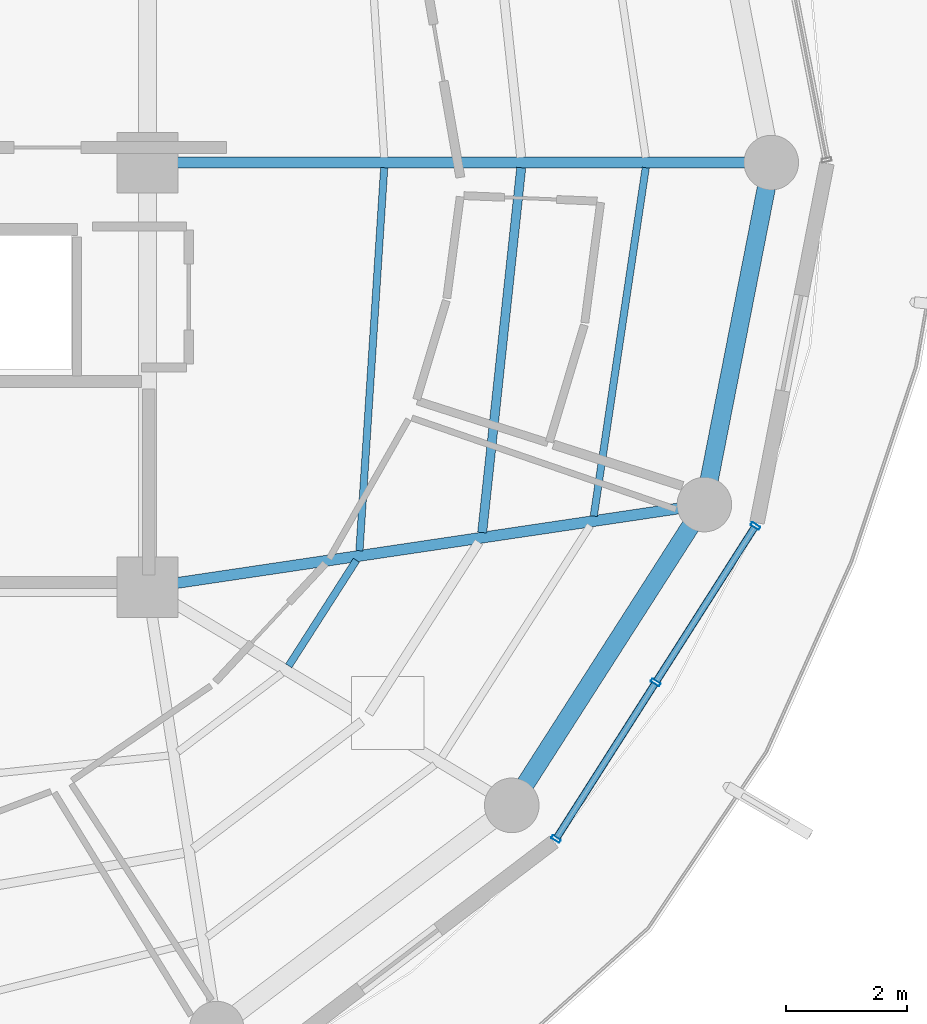
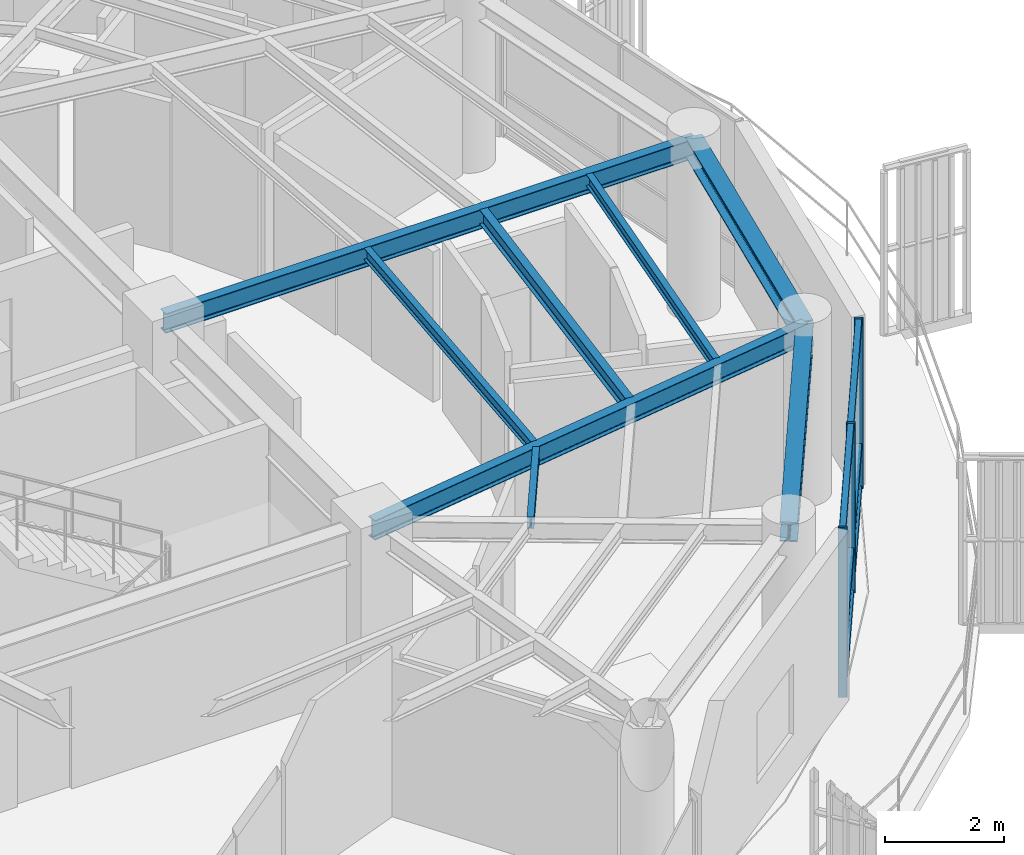
# One storey, part 9 of 22: 9 members, 8 beams, 1 element without a shape of its own.
"""IFC4 building model written with IfcOpenShell, lengths in metres."""

from ifc_helpers import new_model, si_unit, direction, frame, origin, origin_2d, place, context, subcontext, project, spatial, hollow_rectangle, i_section, extrude, material, layer, layer_set, material_profile, profile_set, type_object, element, aggregate, save


model = new_model("IFC4")

# Units and contexts
model_context = context("Model", 3, precision=1e-05, world=origin(), true_north=direction((0.0, 1.0)))
body_context = subcontext(model_context, "Body", "Model", "MODEL_VIEW")
ifc_project = project(units=[si_unit("LENGTHUNIT", "METRE"), si_unit("AREAUNIT", "SQUARE_METRE"), si_unit("VOLUMEUNIT", "CUBIC_METRE"), si_unit("PLANEANGLEUNIT", "RADIAN"), si_unit("MASSUNIT", "GRAM", prefix="KILO")], contexts=[model_context])

# Site, building, storey
site_placement = place(None, origin())
site = spatial("IfcSite", under=ifc_project, at=site_placement, CompositionType="ELEMENT")
building_placement = place(site_placement, origin())
building = spatial("IfcBuilding", under=site, at=building_placement, Name="Kelanora Arch Commons", CompositionType="ELEMENT")
storey_placement = place(building_placement, frame((0.0, 0.0, 259.949951171875)))
storey = spatial("IfcBuildingStorey", under=building, at=storey_placement, Name="L66", CompositionType="ELEMENT", Elevation=259.949951171875)

# Beams
ifc_material_1 = material(Name="Steel S355", Category="steel")
ifc_material_profile_1 = material_profile(ifc_material_1, i_section(OverallWidth=0.14990234375, OverallDepth=0.300048828125, WebThickness=0.007080078125, FlangeThickness=0.0107421875, FilletRadius=0.014892578125, at=origin_2d()), Name="IPE300")
ifc_profile_set_1 = profile_set([ifc_material_profile_1], Name="Steel S355")
beam_type_1 = type_object("IfcBeamType", Name="BM-JST-01", PredefinedType="JOIST", material=ifc_profile_set_1)
beam_1_placement = place(storey_placement, frame((87.515625, 51.902587890625, 3.340087890625), z_axis=(0.106380594087, 0.994325484538, 0.0), x_axis=(-0.994325484538, 0.106380594087, 0.0)))
element("IfcBeam", 1, at=beam_1_placement, inside=storey, type_object=beam_type_1, Name="Secondary Chord Joist BJB-34 L66", PredefinedType="JOIST", context=body_context, shape_type="SweptSolid", body=[
    extrude(i_section(OverallWidth=0.14990234375, OverallDepth=0.300048828125, WebThickness=0.007080078125, FlangeThickness=0.0107421875, FilletRadius=0.014892578125, at=origin_2d()), origin(), (0.0, 0.0, 1.0), 6.04736328125),
])
ifc_material_profile_2 = material_profile(ifc_material_1, i_section(OverallWidth=0.1201171875, OverallDepth=0.239990234375, WebThickness=0.006103515625, FlangeThickness=0.009765625, FilletRadius=0.014892578125, at=origin_2d()), Name="IPE240")
ifc_profile_set_2 = profile_set([ifc_material_profile_2], Name="Steel S355")
beam_type_2 = type_object("IfcBeamType", Name="BM-JST-02", PredefinedType="JOIST", material=ifc_profile_set_2)
beam_2_placement = place(storey_placement, frame((84.3271484375, 49.706298828125, 3.3701171875), z_axis=(0.539311810315, 0.842106152011, 0.0), x_axis=(-0.842106152011, 0.539311810315, 0.0)))
element("IfcBeam", 2, at=beam_2_placement, inside=storey, type_object=beam_type_2, Name="Secondary Chord Joist BJA-32 L66", PredefinedType="JOIST", context=body_context, shape_type="SweptSolid", body=[
    extrude(i_section(OverallWidth=0.1201171875, OverallDepth=0.239990234375, WebThickness=0.006103515625, FlangeThickness=0.009765625, FilletRadius=0.014892578125, at=origin_2d()), origin(), (0.0, 0.0, 1.0), 2.06640625),
])
beam_3_placement = place(storey_placement, frame((85.492919921875, 51.60302734375, 3.3701171875), z_axis=(0.064495107978, 0.99791802321, 0.0), x_axis=(-0.99791802321, 0.064495107978, 0.0)))
element("IfcBeam", 3, at=beam_3_placement, inside=storey, type_object=beam_type_2, Name="Secondary Chord Joist BJA-34 L66", PredefinedType="JOIST", context=body_context, shape_type="SweptSolid", body=[
    extrude(i_section(OverallWidth=0.1201171875, OverallDepth=0.239990234375, WebThickness=0.006103515625, FlangeThickness=0.009765625, FilletRadius=0.014892578125, at=origin_2d()), origin(), (0.0, 0.0, 1.0), 6.325439453125),
])
beam_4_placement = place(storey_placement, frame((89.3544921875, 52.1748046875, 3.3701171875), z_axis=(0.14762470282, 0.989043450571, 0.0), x_axis=(-0.989043450571, 0.14762470282, 0.0)))
element("IfcBeam", 4, at=beam_4_placement, inside=storey, type_object=beam_type_2, Name="Secondary Chord Joist BJC-34 L66", PredefinedType="JOIST", context=body_context, shape_type="SweptSolid", body=[
    extrude(i_section(OverallWidth=0.1201171875, OverallDepth=0.239990234375, WebThickness=0.006103515625, FlangeThickness=0.009765625, FilletRadius=0.014892578125, at=origin_2d()), origin(), (0.0, 0.0, 1.0), 5.804931640625),
])
ifc_material_profile_3 = material_profile(ifc_material_1, i_section(OverallWidth=0.179931640625, OverallDepth=0.39990234375, WebThickness=0.008544921875, FlangeThickness=0.013427734375, FilletRadius=0.02099609375, at=origin_2d()), Name="IPE400")
ifc_profile_set_3 = profile_set([ifc_material_profile_3], Name="Steel S355")
beam_type_3 = type_object("IfcBeamType", Name="BM-RAD-Z5", PredefinedType="BEAM", material=ifc_profile_set_3)
beam_5_placement = place(storey_placement, frame((82.0, 58.0, 3.2900390625), z_axis=(1.0, 0.0, 0.0), x_axis=(0.0, 1.0, 0.0)))
element("IfcBeam", 5, at=beam_5_placement, inside=storey, type_object=beam_type_3, Name="Radial Floor Girder BR-00 L66", PredefinedType="BEAM", context=body_context, shape_type="SweptSolid", body=[
    extrude(i_section(OverallWidth=0.179931640625, OverallDepth=0.39990234375, WebThickness=0.008544921875, FlangeThickness=0.013427734375, FilletRadius=0.02099609375, at=origin_2d()), origin(), (0.0, 0.0, 1.0), 10.280029296875),
])
beam_6_placement = place(storey_placement, frame((82.0, 51.0, 3.2900390625), z_axis=(0.989142485564, 0.146959665395, 0.0), x_axis=(-0.146959665395, 0.989142485564, 0.0)))
element("IfcBeam", 6, at=beam_6_placement, inside=storey, type_object=beam_type_3, Name="Radial Floor Girder BR-34 L66", PredefinedType="BEAM", context=body_context, shape_type="SweptSolid", body=[
    extrude(i_section(OverallWidth=0.179931640625, OverallDepth=0.39990234375, WebThickness=0.008544921875, FlangeThickness=0.013427734375, FilletRadius=0.02099609375, at=origin_2d()), origin(), (0.0, 0.0, 1.0), 9.2783203125),
])
ifc_material_profile_4 = material_profile(ifc_material_1, i_section(OverallWidth=0.300048828125, OverallDepth=0.39990234375, WebThickness=0.013427734375, FlangeThickness=0.02392578125, FilletRadius=0.027099609375, at=origin_2d()), Name="HEB400")
ifc_profile_set_4 = profile_set([ifc_material_profile_4], Name="Steel S355")
beam_type_4 = type_object("IfcBeamType", Name="BM-SPN-Z4", PredefinedType="SPANDREL", material=ifc_profile_set_4)
beam_7_placement = place(storey_placement, frame((88.00341796875, 47.406982421875, 3.2900390625), z_axis=(0.539280851353, 0.842125978322, 0.0), x_axis=(-0.842125978322, 0.539280851353, 0.0)))
element("IfcBeam", 7, at=beam_7_placement, inside=storey, type_object=beam_type_4, Name="Perimeter Spandrel Beam BS-32 L66", PredefinedType="SPANDREL", context=body_context, shape_type="SweptSolid", body=[
    extrude(i_section(OverallWidth=0.300048828125, OverallDepth=0.39990234375, WebThickness=0.013427734375, FlangeThickness=0.02392578125, FilletRadius=0.027099609375, at=origin_2d()), origin(), (0.0, 0.0, 1.0), 5.8857421875),
])
beam_8_placement = place(storey_placement, frame((91.177490234375, 52.363525390625, 3.2900390625), z_axis=(0.191969774604, 0.981400838413, 0.0), x_axis=(-0.981400838413, 0.191969774604, 0.0)))
element("IfcBeam", 8, at=beam_8_placement, inside=storey, type_object=beam_type_4, Name="Perimeter Spandrel Beam BS-34 L66", PredefinedType="SPANDREL", context=body_context, shape_type="SweptSolid", body=[
    extrude(i_section(OverallWidth=0.300048828125, OverallDepth=0.39990234375, WebThickness=0.013427734375, FlangeThickness=0.02392578125, FilletRadius=0.027099609375, at=origin_2d()), origin(), (0.0, 0.0, 1.0), 5.743408203125),
])

# Curtain wall, members
ifc_material_2 = material(Name="Terracotta ceramic-fritted low-E glass and aluminium", Category="masonry")
ifc_layer = layer(ifc_material_2, 0.18994140625)
ifc_layer_set = layer_set([ifc_layer], Name="Terracotta ceramic-fritted low-E glass and aluminium")
curtain_wall_type = type_object("IfcCurtainWallType", Name="CW-SYS-03", PredefinedType="NOTDEFINED", material=ifc_layer_set)
curtain_wall_placement = place(storey_placement, origin())
curtain_wall = element("IfcCurtainWall", 9, at=curtain_wall_placement, inside=storey, type_object=curtain_wall_type, Name="Unitised Curtain Wall L66-B16", PredefinedType="NOTDEFINED")
ifc_material_3 = material(Name="Powder-coated aluminium terracotta", Category="masonry")
ifc_material_profile_5 = material_profile(ifc_material_3, hollow_rectangle(XDim=0.159912109375, YDim=0.06005859375, WallThickness=0.0048828125, InnerFilletRadius=0.0048828125, OuterFilletRadius=0.010009765625, at=origin_2d()), Name="CWM160x60")
ifc_profile_set_5 = profile_set([ifc_material_profile_5], Name="Powder-coated aluminium terracotta")
member_type_1 = type_object("IfcMemberType", Name="CWM-STD", PredefinedType="MULLION", material=ifc_profile_set_5)
member_1_placement = place(storey_placement, frame((88.732421875, 46.853515625, 0.0), z_axis=(0.0, 0.0, 1.0), x_axis=(-0.843391314545, 0.537299814397, 0.0)))
member_1 = element("IfcMember", 10, at=member_1_placement, type_object=member_type_1, Name="CW-03 mullion 1", PredefinedType="MULLION", context=body_context, shape_type="SweptSolid", body=[
    extrude(hollow_rectangle(XDim=0.159912109375, YDim=0.06005859375, WallThickness=0.0048828125, InnerFilletRadius=0.0048828125, OuterFilletRadius=0.010009765625, at=origin_2d()), origin(), (0.0, 0.0, 1.0), 3.47509765625),
])
member_2_placement = place(storey_placement, frame((90.375, 49.43212890625, 0.0), z_axis=(0.0, 0.0, 1.0), x_axis=(-0.843391314545, 0.537299814397, 0.0)))
member_2 = element("IfcMember", 11, at=member_2_placement, type_object=member_type_1, Name="CW-03 mullion 2", PredefinedType="MULLION", context=body_context, shape_type="SweptSolid", body=[
    extrude(hollow_rectangle(XDim=0.159912109375, YDim=0.06005859375, WallThickness=0.0048828125, InnerFilletRadius=0.0048828125, OuterFilletRadius=0.010009765625, at=origin_2d()), origin(), (0.0, 0.0, 1.0), 3.47509765625),
])
member_3_placement = place(storey_placement, frame((92.017822265625, 52.0107421875, 0.0), z_axis=(0.0, 0.0, 1.0), x_axis=(-0.843391314545, 0.537299814397, 0.0)))
member_3 = element("IfcMember", 12, at=member_3_placement, type_object=member_type_1, Name="CW-03 mullion 3", PredefinedType="MULLION", context=body_context, shape_type="SweptSolid", body=[
    extrude(hollow_rectangle(XDim=0.159912109375, YDim=0.06005859375, WallThickness=0.0048828125, InnerFilletRadius=0.0048828125, OuterFilletRadius=0.010009765625, at=origin_2d()), origin(), (0.0, 0.0, 1.0), 3.47509765625),
])
ifc_material_profile_6 = material_profile(ifc_material_3, hollow_rectangle(XDim=0.1201171875, YDim=0.06005859375, WallThickness=0.0048828125, InnerFilletRadius=0.0048828125, OuterFilletRadius=0.010009765625, at=origin_2d()), Name="CWT120x60")
ifc_profile_set_6 = profile_set([ifc_material_profile_6], Name="Powder-coated aluminium terracotta")
member_type_2 = type_object("IfcMemberType", Name="CWT-STD", PredefinedType="USERDEFINED", material=ifc_profile_set_6)
member_4_placement = place(storey_placement, frame((88.74853515625, 46.87890625, 0.030029296875), z_axis=(0.537286543791, 0.84339976871, 0.0), x_axis=(-0.84339976871, 0.537286543791, 0.0)))
member_4 = element("IfcMember", 13, at=member_4_placement, type_object=member_type_2, Name="CW-03 transom 1.1", ObjectType="TRANSOM", PredefinedType="USERDEFINED", context=body_context, shape_type="SweptSolid", body=[
    extrude(hollow_rectangle(XDim=0.1201171875, YDim=0.06005859375, WallThickness=0.0048828125, InnerFilletRadius=0.0048828125, OuterFilletRadius=0.010009765625, at=origin_2d()), origin(), (0.0, 0.0, 1.0), 2.997314453125),
])
member_5_placement = place(storey_placement, frame((88.74853515625, 46.87890625, 0.900146484375), z_axis=(0.537286543791, 0.84339976871, 0.0), x_axis=(-0.84339976871, 0.537286543791, 0.0)))
member_5 = element("IfcMember", 14, at=member_5_placement, type_object=member_type_2, Name="CW-03 transom 1.2", ObjectType="TRANSOM", PredefinedType="USERDEFINED", context=body_context, shape_type="SweptSolid", body=[
    extrude(hollow_rectangle(XDim=0.1201171875, YDim=0.06005859375, WallThickness=0.0048828125, InnerFilletRadius=0.0048828125, OuterFilletRadius=0.010009765625, at=origin_2d()), origin(), (0.0, 0.0, 1.0), 2.997314453125),
])
member_6_placement = place(storey_placement, frame((88.74853515625, 46.87890625, 3.445068359375), z_axis=(0.537286543791, 0.84339976871, 0.0), x_axis=(-0.84339976871, 0.537286543791, 0.0)))
member_6 = element("IfcMember", 15, at=member_6_placement, type_object=member_type_2, Name="CW-03 transom 1.3", ObjectType="TRANSOM", PredefinedType="USERDEFINED", context=body_context, shape_type="SweptSolid", body=[
    extrude(hollow_rectangle(XDim=0.1201171875, YDim=0.06005859375, WallThickness=0.0048828125, InnerFilletRadius=0.0048828125, OuterFilletRadius=0.010009765625, at=origin_2d()), origin(), (0.0, 0.0, 1.0), 2.997314453125),
])
member_7_placement = place(storey_placement, frame((90.39111328125, 49.45751953125, 0.030029296875), z_axis=(0.537307571338, 0.843386372775, 0.0), x_axis=(-0.843386372775, 0.537307571338, 0.0)))
member_7 = element("IfcMember", 16, at=member_7_placement, type_object=member_type_2, Name="CW-03 transom 2.1", ObjectType="TRANSOM", PredefinedType="USERDEFINED", context=body_context, shape_type="SweptSolid", body=[
    extrude(hollow_rectangle(XDim=0.1201171875, YDim=0.06005859375, WallThickness=0.0048828125, InnerFilletRadius=0.0048828125, OuterFilletRadius=0.010009765625, at=origin_2d()), origin(), (0.0, 0.0, 1.0), 2.99755859375),
])
member_8_placement = place(storey_placement, frame((90.39111328125, 49.45751953125, 0.900146484375), z_axis=(0.537307571338, 0.843386372775, 0.0), x_axis=(-0.843386372775, 0.537307571338, 0.0)))
member_8 = element("IfcMember", 17, at=member_8_placement, type_object=member_type_2, Name="CW-03 transom 2.2", ObjectType="TRANSOM", PredefinedType="USERDEFINED", context=body_context, shape_type="SweptSolid", body=[
    extrude(hollow_rectangle(XDim=0.1201171875, YDim=0.06005859375, WallThickness=0.0048828125, InnerFilletRadius=0.0048828125, OuterFilletRadius=0.010009765625, at=origin_2d()), origin(), (0.0, 0.0, 1.0), 2.99755859375),
])
member_9_placement = place(storey_placement, frame((90.39111328125, 49.45751953125, 3.445068359375), z_axis=(0.537307571338, 0.843386372775, 0.0), x_axis=(-0.843386372775, 0.537307571338, 0.0)))
member_9 = element("IfcMember", 18, at=member_9_placement, type_object=member_type_2, Name="CW-03 transom 2.3", ObjectType="TRANSOM", PredefinedType="USERDEFINED", context=body_context, shape_type="SweptSolid", body=[
    extrude(hollow_rectangle(XDim=0.1201171875, YDim=0.06005859375, WallThickness=0.0048828125, InnerFilletRadius=0.0048828125, OuterFilletRadius=0.010009765625, at=origin_2d()), origin(), (0.0, 0.0, 1.0), 2.99755859375),
])
aggregate(curtain_wall, [member_1, member_2, member_3, member_4, member_5, member_6, member_7, member_8, member_9])

save(model, "model.ifc")
